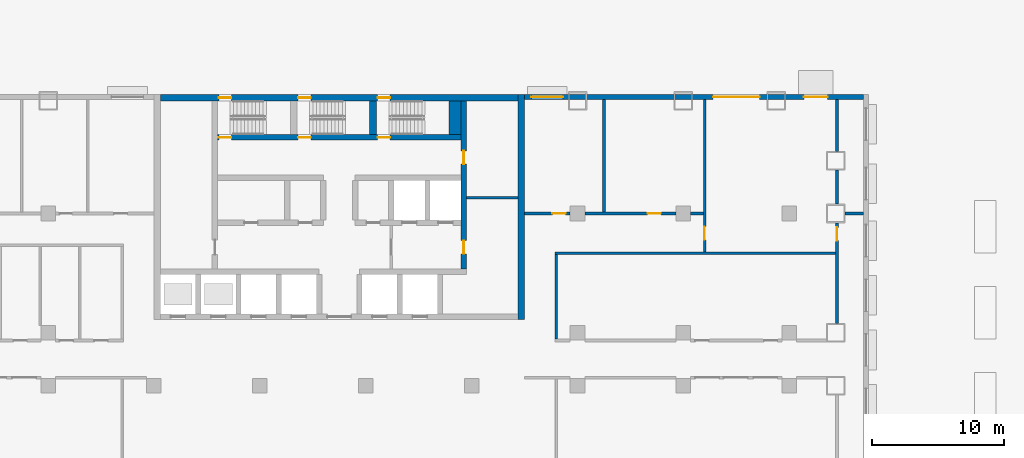
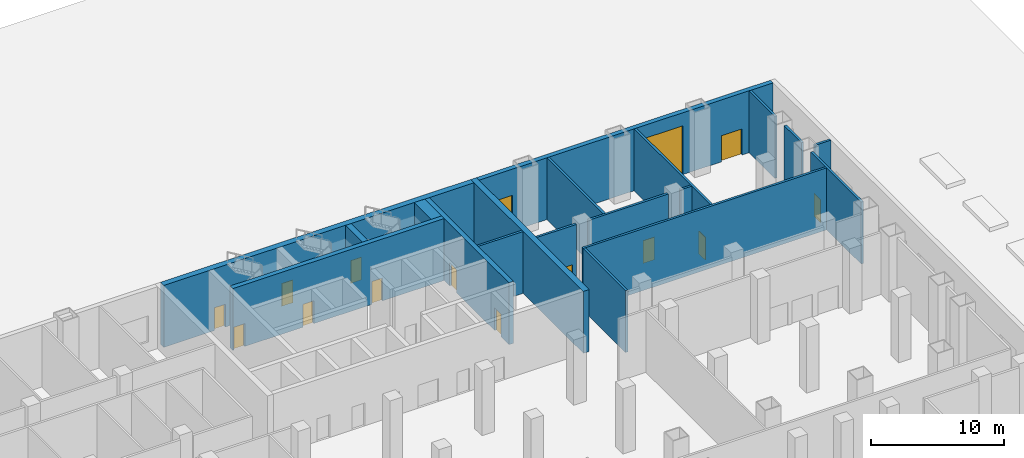
# One storey, part 9 of 18: 19 walls, 14 doors, 1 window, 15 openings.
"""IFC4 building model written with IfcOpenShell, lengths in metres."""

from ifc_helpers import new_model, si_unit, direction, frame, frame_2d, origin, place, context, subcontext, project, spatial, rectangle, extrude, material, layer, layer_set, type_object, element, fill, save


model = new_model("IFC4")

# Units and contexts
model_context = context("Model", 3, precision=1e-05, world=origin(), true_north=direction((0.0, 1.0)))
body_context = subcontext(model_context, "Body", "Model", "MODEL_VIEW")
ifc_project = project(units=[si_unit("LENGTHUNIT", "METRE"), si_unit("AREAUNIT", "SQUARE_METRE"), si_unit("VOLUMEUNIT", "CUBIC_METRE"), si_unit("PLANEANGLEUNIT", "RADIAN"), si_unit("MASSUNIT", "GRAM", prefix="KILO")], contexts=[model_context])

# Site, building, storey
site_placement = place(None, origin())
site = spatial("IfcSite", under=ifc_project, at=site_placement, CompositionType="ELEMENT")
building_placement = place(site_placement, origin())
building = spatial("IfcBuilding", under=site, at=building_placement, Name="Vidyagriha Tower", CompositionType="ELEMENT")
storey_placement = place(building_placement, origin())
storey = spatial("IfcBuildingStorey", under=building, at=storey_placement, Name="L00", CompositionType="ELEMENT", Elevation=0.0)

# Wall, openings, doors, window
ifc_material_1 = material(Name="Concrete C40/50 board-marked with brick facing", Category="concrete")
ifc_layer_1 = layer(ifc_material_1, 0.39990234375)
ifc_layer_set_1 = layer_set([ifc_layer_1], Name="Concrete C40/50 board-marked with brick facing")
wall_type_1 = type_object("IfcWallType", Name="Brick-faced board-marked concrete podium wall 400", PredefinedType="STANDARD", material=ifc_layer_set_1)
wall_1_placement = place(storey_placement, frame((39.60009765625, 19.800048828125, 0.0), z_axis=(0.0, 0.0, 1.0), x_axis=(-1.0, 0.0, 0.0)))
wall_1 = element("IfcWall", 1, at=wall_1_placement, inside=storey, type_object=wall_type_1, Name="Podium wall L00 R02", PredefinedType="STANDARD", context=body_context, shape_type="SweptSolid", body=[
    extrude(rectangle(XDim=25.60009765625, YDim=0.39990234375, at=frame_2d((12.800048828125, 0.0))), origin(), (0.0, 0.0, 1.0), 5.699951171875),
])
opening_1_placement = place(wall_1_placement, frame((2.699951171875, 0.0, 0.0)))
opening_1 = element("IfcOpeningElement", 2, at=opening_1_placement, cuts=wall_1, Name="Opening D00-02", PredefinedType="OPENING", context=body_context, shape_type="SweptSolid", body=[
    extrude(rectangle(XDim=1.800048828125, YDim=2.39990234375, at=frame_2d((0.89990234375, 1.199951171875))), frame((0.0, 0.2099609375, 0.0), z_axis=(0.0, -1.0, 0.0), x_axis=(1.0, 0.0, 0.0)), (0.0, 0.0, 1.0), 0.419921875),
])
opening_2_placement = place(wall_1_placement, frame((22.68994140625, 0.0, 0.89990234375)))
opening_2 = element("IfcOpeningElement", 3, at=opening_2_placement, cuts=wall_1, Name="Opening WN4", PredefinedType="OPENING", context=body_context, shape_type="SweptSolid", body=[
    extrude(rectangle(XDim=2.39990234375, YDim=2.39990234375, at=frame_2d((1.199951171875, 1.199951171875))), frame((0.0, 0.2099609375, 0.0), z_axis=(0.0, -1.0, 0.0), x_axis=(1.0, 0.0, 0.0)), (0.0, 0.0, 1.0), 0.419921875),
])
opening_3_placement = place(wall_1_placement, frame((7.85009765625, 0.0, 0.0)))
opening_3 = element("IfcOpeningElement", 4, at=opening_3_placement, cuts=wall_1, Name="Opening D00-70", PredefinedType="OPENING", context=body_context, shape_type="SweptSolid", body=[
    extrude(rectangle(XDim=3.5, YDim=4.5, at=frame_2d((1.75, 2.25))), frame((0.0, 0.2099609375, 0.0), z_axis=(0.0, -1.0, 0.0), x_axis=(1.0, 0.0, 0.0)), (0.0, 0.0, 1.0), 0.419921875),
])
ifc_material_2 = material(Name="Aluminium and glass door", Category="aluminium")
door_type_1 = type_object("IfcDoorType", Name="Entrance double leaf glazed door 1800x2400", OperationType="NOTDEFINED", PredefinedType="DOOR", material=ifc_material_2)
door_1_placement = place(opening_1_placement, frame((1.800048828125, 0.0, 0.0), z_axis=(0.0, 0.0, 1.0), x_axis=(-1.0, 0.0, 0.0)))
door_1 = element("IfcDoor", 5, at=door_1_placement, inside=storey, type_object=door_type_1, Name="Stair exit D00-02", OperationType="DOUBLE_DOOR_SINGLE_SWING", OverallHeight=2.39990234375, OverallWidth=1.800048828125, PredefinedType="DOOR", context=body_context, shape_type="SweptSolid", body=[
    extrude(rectangle(XDim=1.800048828125, YDim=2.39990234375, at=frame_2d((0.89990234375, 1.199951171875))), frame((0.0, 0.02490234375, 0.0), z_axis=(0.0, -1.0, 0.0), x_axis=(1.0, 0.0, 0.0)), (0.0, 0.0, 1.0), 0.050048828125),
])
fill(opening_1, door_1)
ifc_material_3 = material(Name="Aluminium and glass window", Category="aluminium")
window_type = type_object("IfcWindowType", Name="Ground storey school window 2400x2400", PartitioningType="NOTDEFINED", PredefinedType="WINDOW", material=ifc_material_3)
window_placement = place(opening_2_placement, origin())
window = element("IfcWindow", 6, at=window_placement, inside=storey, type_object=window_type, Name="School window L00 R02.15", OverallHeight=2.39990234375, OverallWidth=2.39990234375, PartitioningType="SINGLE_PANEL", PredefinedType="WINDOW", context=body_context, shape_type="SweptSolid", body=[
    extrude(rectangle(XDim=2.39990234375, YDim=2.39990234375, at=frame_2d((1.199951171875, 1.199951171875))), frame((0.0, 0.030029296875, 0.0), z_axis=(0.0, -1.0, 0.0), x_axis=(1.0, 0.0, 0.0)), (0.0, 0.0, 1.0), 0.06005859375),
])
fill(opening_2, window)
ifc_material_4 = material(Name="Steel fire door set", Category="steel")
door_type_2 = type_object("IfcDoorType", Name="Podium Door 3500x4500 EI 60 Pair", OperationType="NOTDEFINED", PredefinedType="DOOR", material=ifc_material_4)
door_2_placement = place(opening_3_placement, frame((3.5, 0.0, 0.0), z_axis=(0.0, 0.0, 1.0), x_axis=(-1.0, 0.0, 0.0)))
door_2 = element("IfcDoor", 7, at=door_2_placement, inside=storey, type_object=door_type_2, Name="L00 Loading dock shutter D00-70", OperationType="DOUBLE_DOOR_SINGLE_SWING", OverallHeight=4.5, OverallWidth=3.5, PredefinedType="DOOR", context=body_context, shape_type="SweptSolid", body=[
    extrude(rectangle(XDim=3.5, YDim=4.5, at=frame_2d((1.75, 2.25))), frame((0.0, 0.02490234375, 0.0), z_axis=(0.0, -1.0, 0.0), x_axis=(1.0, 0.0, 0.0)), (0.0, 0.0, 1.0), 0.050048828125),
])
fill(opening_3, door_2)

# Wall, openings, doors
ifc_material_5 = material(Name="Concrete C60/75", Category="concrete")
ifc_layer_2 = layer(ifc_material_5, 0.39990234375)
ifc_layer_set_2 = layer_set([ifc_layer_2], Name="Concrete C60/75")
wall_type_2 = type_object("IfcWallType", Name="Core shear wall 400 mm", PredefinedType="SHEAR", material=ifc_layer_set_2)
wall_2_placement = place(storey_placement, frame((9.39990234375, 6.800048828125, 0.0), z_axis=(0.0, 0.0, 1.0), x_axis=(0.0, 1.0, 0.0)))
wall_2 = element("IfcWall", 8, at=wall_2_placement, inside=storey, type_object=wall_type_2, Name="Core east spine wall", PredefinedType="SHEAR", context=body_context, shape_type="SweptSolid", body=[
    extrude(rectangle(XDim=12.699951171875, YDim=0.39990234375, at=frame_2d((6.35009765625, 0.0))), origin(), (0.0, 0.0, 1.0), 5.699951171875),
])
opening_4_placement = place(wall_2_placement, frame((1.14990234375, 0.0, 0.0)))
opening_4 = element("IfcOpeningElement", 9, at=opening_4_placement, cuts=wall_2, Name="Opening D00-20", PredefinedType="OPENING", context=body_context, shape_type="SweptSolid", body=[
    extrude(rectangle(XDim=1.0, YDim=2.10009765625, at=frame_2d((0.5, 1.050048828125))), frame((0.0, 0.2099609375, 0.0), z_axis=(0.0, -1.0, 0.0), x_axis=(1.0, 0.0, 0.0)), (0.0, 0.0, 1.0), 0.419921875),
])
opening_5_placement = place(wall_2_placement, frame((7.925048828125, 0.0, 0.0)))
opening_5 = element("IfcOpeningElement", 10, at=opening_5_placement, cuts=wall_2, Name="Opening D00-21", PredefinedType="OPENING", context=body_context, shape_type="SweptSolid", body=[
    extrude(rectangle(XDim=1.0, YDim=2.10009765625, at=frame_2d((0.5, 1.050048828125))), frame((0.0, 0.2099609375, 0.0), z_axis=(0.0, -1.0, 0.0), x_axis=(1.0, 0.0, 0.0)), (0.0, 0.0, 1.0), 0.419921875),
])
ifc_material_6 = material(Name="Hollow metal door leaf")
door_type_3 = type_object("IfcDoorType", Name="Core room door 1000 x 2100 mm EI 60", OperationType="NOTDEFINED", PredefinedType="DOOR", material=ifc_material_6)
door_3_placement = place(opening_4_placement, origin())
door_3 = element("IfcDoor", 11, at=door_3_placement, inside=storey, type_object=door_type_3, Name="Door Riser Room 00.E1", OperationType="SINGLE_SWING_RIGHT", OverallHeight=2.10009765625, OverallWidth=1.0, PredefinedType="DOOR", context=body_context, shape_type="SweptSolid", body=[
    extrude(rectangle(XDim=1.0, YDim=2.10009765625, at=frame_2d((0.5, 1.050048828125))), frame((0.0, 0.02490234375, 0.0), z_axis=(0.0, -1.0, 0.0), x_axis=(1.0, 0.0, 0.0)), (0.0, 0.0, 1.0), 0.050048828125),
])
fill(opening_4, door_3)
door_4_placement = place(opening_5_placement, origin())
door_4 = element("IfcDoor", 12, at=door_4_placement, inside=storey, type_object=door_type_3, Name="Door Switchgear Room 00.E2", OperationType="SINGLE_SWING_LEFT", OverallHeight=2.10009765625, OverallWidth=1.0, PredefinedType="DOOR", context=body_context, shape_type="SweptSolid", body=[
    extrude(rectangle(XDim=1.0, YDim=2.10009765625, at=frame_2d((0.5, 1.050048828125))), frame((0.0, 0.02490234375, 0.0), z_axis=(0.0, -1.0, 0.0), x_axis=(1.0, 0.0, 0.0)), (0.0, 0.0, 1.0), 0.050048828125),
])
fill(opening_5, door_4)

wall_3_placement = place(storey_placement, frame((-9.199951171875, 16.75, 0.0)))
wall_3 = element("IfcWall", 13, at=wall_3_placement, inside=storey, type_object=wall_type_2, Name="Stair front wall", PredefinedType="SHEAR", context=body_context, shape_type="SweptSolid", body=[
    extrude(rectangle(XDim=18.39990234375, YDim=0.39990234375, at=frame_2d((9.199951171875, 0.0))), origin(), (0.0, 0.0, 1.0), 5.699951171875),
])
opening_6_placement = place(wall_3_placement, frame((0.10009765625, 0.0, 0.0)))
opening_6 = element("IfcOpeningElement", 14, at=opening_6_placement, cuts=wall_3, Name="Opening D00-13", PredefinedType="OPENING", context=body_context, shape_type="SweptSolid", body=[
    extrude(rectangle(XDim=0.949951171875, YDim=2.10009765625, at=frame_2d((0.47509765625, 1.050048828125))), frame((0.0, 0.2099609375, 0.0), z_axis=(0.0, -1.0, 0.0), x_axis=(1.0, 0.0, 0.0)), (0.0, 0.0, 1.0), 0.419921875),
])
opening_7_placement = place(wall_3_placement, frame((6.10009765625, 0.0, 0.0)))
opening_7 = element("IfcOpeningElement", 15, at=opening_7_placement, cuts=wall_3, Name="Opening D00-14", PredefinedType="OPENING", context=body_context, shape_type="SweptSolid", body=[
    extrude(rectangle(XDim=0.949951171875, YDim=2.10009765625, at=frame_2d((0.47509765625, 1.050048828125))), frame((0.0, 0.2099609375, 0.0), z_axis=(0.0, -1.0, 0.0), x_axis=(1.0, 0.0, 0.0)), (0.0, 0.0, 1.0), 0.419921875),
])
opening_8_placement = place(wall_3_placement, frame((12.10009765625, 0.0, 0.0)))
opening_8 = element("IfcOpeningElement", 16, at=opening_8_placement, cuts=wall_3, Name="Opening D00-15", PredefinedType="OPENING", context=body_context, shape_type="SweptSolid", body=[
    extrude(rectangle(XDim=0.949951171875, YDim=2.10009765625, at=frame_2d((0.47509765625, 1.050048828125))), frame((0.0, 0.2099609375, 0.0), z_axis=(0.0, -1.0, 0.0), x_axis=(1.0, 0.0, 0.0)), (0.0, 0.0, 1.0), 0.419921875),
])
ifc_material_7 = material(Name="Hollow metal door leaf")
door_type_4 = type_object("IfcDoorType", Name="Exit stair door 950 x 2100 mm EI 90", OperationType="NOTDEFINED", PredefinedType="DOOR", material=ifc_material_7)
door_5_placement = place(opening_6_placement, origin())
door_5 = element("IfcDoor", 17, at=door_5_placement, inside=storey, type_object=door_type_4, Name="Stair door ST1 L00", OperationType="SINGLE_SWING_LEFT", OverallHeight=2.10009765625, OverallWidth=0.949951171875, PredefinedType="DOOR", context=body_context, shape_type="SweptSolid", body=[
    extrude(rectangle(XDim=0.949951171875, YDim=2.10009765625, at=frame_2d((0.47509765625, 1.050048828125))), frame((0.0, 0.02490234375, 0.0), z_axis=(0.0, -1.0, 0.0), x_axis=(1.0, 0.0, 0.0)), (0.0, 0.0, 1.0), 0.050048828125),
])
fill(opening_6, door_5)
door_6_placement = place(opening_7_placement, origin())
door_6 = element("IfcDoor", 18, at=door_6_placement, inside=storey, type_object=door_type_4, Name="Stair door ST2 L00", OperationType="SINGLE_SWING_LEFT", OverallHeight=2.10009765625, OverallWidth=0.949951171875, PredefinedType="DOOR", context=body_context, shape_type="SweptSolid", body=[
    extrude(rectangle(XDim=0.949951171875, YDim=2.10009765625, at=frame_2d((0.47509765625, 1.050048828125))), frame((0.0, 0.02490234375, 0.0), z_axis=(0.0, -1.0, 0.0), x_axis=(1.0, 0.0, 0.0)), (0.0, 0.0, 1.0), 0.050048828125),
])
fill(opening_7, door_6)
door_7_placement = place(opening_8_placement, origin())
door_7 = element("IfcDoor", 19, at=door_7_placement, inside=storey, type_object=door_type_4, Name="Stair door ST3 L00", OperationType="SINGLE_SWING_LEFT", OverallHeight=2.10009765625, OverallWidth=0.949951171875, PredefinedType="DOOR", context=body_context, shape_type="SweptSolid", body=[
    extrude(rectangle(XDim=0.949951171875, YDim=2.10009765625, at=frame_2d((0.47509765625, 1.050048828125))), frame((0.0, 0.02490234375, 0.0), z_axis=(0.0, -1.0, 0.0), x_axis=(1.0, 0.0, 0.0)), (0.0, 0.0, 1.0), 0.050048828125),
])
fill(opening_8, door_7)

# Walls
ifc_material_8 = material(Name="Concrete C60/75", Category="concrete")
ifc_layer_3 = layer(ifc_material_8, 0.5)
ifc_layer_set_3 = layer_set([ifc_layer_3], Name="Concrete C60/75")
wall_type_3 = type_object("IfcWallType", Name="Core shear wall 500 mm", PredefinedType="SHEAR", material=ifc_layer_set_3)
wall_4_placement = place(storey_placement, frame((13.75, 3.0, 0.0), z_axis=(0.0, 0.0, 1.0), x_axis=(0.0, 1.0, 0.0)))
element("IfcWall", 20, at=wall_4_placement, inside=storey, type_object=wall_type_3, Name="Core east wall", PredefinedType="SHEAR", context=body_context, shape_type="SweptSolid", body=[
    extrude(rectangle(XDim=17.0, YDim=0.5, at=frame_2d((8.5, 0.0))), origin(), (0.0, 0.0, 1.0), 5.699951171875),
])
wall_5_placement = place(storey_placement, frame((2.550048828125, 16.949951171875, 0.0), z_axis=(0.0, 0.0, 1.0), x_axis=(0.0, 1.0, 0.0)))
element("IfcWall", 21, at=wall_5_placement, inside=storey, type_object=wall_type_3, Name="Stair partition wall 2", PredefinedType="SHEAR", context=body_context, shape_type="SweptSolid", body=[
    extrude(rectangle(XDim=2.550048828125, YDim=0.5, at=frame_2d((1.27490234375, 0.0))), origin(), (0.0, 0.0, 1.0), 5.699951171875),
])

# Wall, openings, doors
ifc_material_9 = material(Name="Concrete C60/75 with brick facing", Category="concrete")
ifc_layer_4 = layer(ifc_material_9, 0.5)
ifc_layer_set_4 = layer_set([ifc_layer_4], Name="Concrete C60/75 with brick facing")
wall_type_4 = type_object("IfcWallType", Name="Core shear wall 500 mm, brick-faced", PredefinedType="SHEAR", material=ifc_layer_set_4)
wall_6_placement = place(storey_placement, frame((-13.5, 19.75, 0.0)))
wall_6 = element("IfcWall", 22, at=wall_6_placement, inside=storey, type_object=wall_type_4, Name="Core north wall", PredefinedType="SHEAR", context=body_context, shape_type="SweptSolid", body=[
    extrude(rectangle(XDim=27.0, YDim=0.5, at=frame_2d((13.5, 0.0))), origin(), (0.0, 0.0, 1.0), 5.699951171875),
])
opening_9_placement = place(wall_6_placement, frame((4.39990234375, 0.0, 0.0)))
opening_9 = element("IfcOpeningElement", 23, at=opening_9_placement, cuts=wall_6, Name="Opening D00-16", PredefinedType="OPENING", context=body_context, shape_type="SweptSolid", body=[
    extrude(rectangle(XDim=0.949951171875, YDim=2.10009765625, at=frame_2d((0.47509765625, 1.050048828125))), frame((0.0, 0.260009765625, 0.0), z_axis=(0.0, -1.0, 0.0), x_axis=(1.0, 0.0, 0.0)), (0.0, 0.0, 1.0), 0.52001953125),
])
opening_10_placement = place(wall_6_placement, frame((10.39990234375, 0.0, 0.0)))
opening_10 = element("IfcOpeningElement", 24, at=opening_10_placement, cuts=wall_6, Name="Opening D00-17", PredefinedType="OPENING", context=body_context, shape_type="SweptSolid", body=[
    extrude(rectangle(XDim=0.949951171875, YDim=2.10009765625, at=frame_2d((0.47509765625, 1.050048828125))), frame((0.0, 0.260009765625, 0.0), z_axis=(0.0, -1.0, 0.0), x_axis=(1.0, 0.0, 0.0)), (0.0, 0.0, 1.0), 0.52001953125),
])
opening_11_placement = place(wall_6_placement, frame((16.39990234375, 0.0, 0.0)))
opening_11 = element("IfcOpeningElement", 25, at=opening_11_placement, cuts=wall_6, Name="Opening D00-18", PredefinedType="OPENING", context=body_context, shape_type="SweptSolid", body=[
    extrude(rectangle(XDim=0.949951171875, YDim=2.10009765625, at=frame_2d((0.47509765625, 1.050048828125))), frame((0.0, 0.260009765625, 0.0), z_axis=(0.0, -1.0, 0.0), x_axis=(1.0, 0.0, 0.0)), (0.0, 0.0, 1.0), 0.52001953125),
])
ifc_material_10 = material(Name="Hollow metal door leaf")
door_type_5 = type_object("IfcDoorType", Name="Stair exit door 950 x 2100 mm EI 90", OperationType="NOTDEFINED", PredefinedType="DOOR", material=ifc_material_10)
door_8_placement = place(opening_9_placement, origin())
door_8 = element("IfcDoor", 26, at=door_8_placement, inside=storey, type_object=door_type_5, Name="Stair exit door ST1", OperationType="SINGLE_SWING_LEFT", OverallHeight=2.10009765625, OverallWidth=0.949951171875, PredefinedType="DOOR", context=body_context, shape_type="SweptSolid", body=[
    extrude(rectangle(XDim=0.949951171875, YDim=2.10009765625, at=frame_2d((0.47509765625, 1.050048828125))), frame((0.0, 0.02490234375, 0.0), z_axis=(0.0, -1.0, 0.0), x_axis=(1.0, 0.0, 0.0)), (0.0, 0.0, 1.0), 0.050048828125),
])
fill(opening_9, door_8)
door_9_placement = place(opening_10_placement, origin())
door_9 = element("IfcDoor", 27, at=door_9_placement, inside=storey, type_object=door_type_5, Name="Stair exit door ST2", OperationType="SINGLE_SWING_LEFT", OverallHeight=2.10009765625, OverallWidth=0.949951171875, PredefinedType="DOOR", context=body_context, shape_type="SweptSolid", body=[
    extrude(rectangle(XDim=0.949951171875, YDim=2.10009765625, at=frame_2d((0.47509765625, 1.050048828125))), frame((0.0, 0.02490234375, 0.0), z_axis=(0.0, -1.0, 0.0), x_axis=(1.0, 0.0, 0.0)), (0.0, 0.0, 1.0), 0.050048828125),
])
fill(opening_10, door_9)
door_10_placement = place(opening_11_placement, origin())
door_10 = element("IfcDoor", 28, at=door_10_placement, inside=storey, type_object=door_type_5, Name="Stair exit door ST3", OperationType="SINGLE_SWING_LEFT", OverallHeight=2.10009765625, OverallWidth=0.949951171875, PredefinedType="DOOR", context=body_context, shape_type="SweptSolid", body=[
    extrude(rectangle(XDim=0.949951171875, YDim=2.10009765625, at=frame_2d((0.47509765625, 1.050048828125))), frame((0.0, 0.02490234375, 0.0), z_axis=(0.0, -1.0, 0.0), x_axis=(1.0, 0.0, 0.0)), (0.0, 0.0, 1.0), 0.050048828125),
])
fill(opening_11, door_10)

# Walls
ifc_material_11 = material(Name="Concrete C60/75", Category="concrete")
ifc_layer_5 = layer(ifc_material_11, 0.89990234375)
ifc_layer_set_5 = layer_set([ifc_layer_5], Name="Concrete C60/75")
wall_type_5 = type_object("IfcWallType", Name="Core shear wall 900 mm", PredefinedType="SHEAR", material=ifc_layer_set_5)
wall_7_placement = place(storey_placement, frame((8.75, 16.949951171875, 0.0), z_axis=(0.0, 0.0, 1.0), x_axis=(0.0, 1.0, 0.0)))
element("IfcWall", 29, at=wall_7_placement, inside=storey, type_object=wall_type_5, Name="Stair end wall", PredefinedType="SHEAR", context=body_context, shape_type="SweptSolid", body=[
    extrude(rectangle(XDim=2.550048828125, YDim=0.89990234375, at=frame_2d((1.27490234375, 0.0))), origin(), (0.0, 0.0, 1.0), 5.699951171875),
])
ifc_material_12 = material(Name="Fire rated gypsum board on light gauge framing")
ifc_layer_6 = layer(ifc_material_12, 0.199951171875)
ifc_layer_set_6 = layer_set([ifc_layer_6], Name="Fire rated gypsum board on light gauge framing")
wall_type_6 = type_object("IfcWallType", Name="Fire Rated Corridor Wall 200", PredefinedType="PARTITIONING", material=ifc_layer_set_6)
wall_8_placement = place(storey_placement, frame((16.300048828125, 8.0, 0.0)))
element("IfcWall", 30, at=wall_8_placement, inside=storey, type_object=wall_type_6, Name="L00 Fire Rated Corridor Wall 200 036", PredefinedType="PARTITIONING", context=body_context, shape_type="SweptSolid", body=[
    extrude(rectangle(XDim=21.199951171875, YDim=0.199951171875, at=frame_2d((10.60009765625, 0.0))), origin(), (0.0, 0.0, 1.0), 5.699951171875),
])

# Wall, opening, door
wall_9_placement = place(storey_placement, frame((14.0, 11.0, 0.0)))
wall_9 = element("IfcWall", 31, at=wall_9_placement, inside=storey, type_object=wall_type_6, Name="L00 Fire Rated Corridor Wall 200 042", PredefinedType="PARTITIONING", context=body_context, shape_type="SweptSolid", body=[
    extrude(rectangle(XDim=3.449951171875, YDim=0.199951171875, at=frame_2d((1.72509765625, 0.0))), origin(), (0.0, 0.0, 1.0), 5.699951171875),
])
opening_12_placement = place(wall_9_placement, frame((2.099853515625, 0.0, 0.0)))
opening_12 = element("IfcOpeningElement", 32, at=opening_12_placement, cuts=wall_9, Name="Opening D00-56", PredefinedType="OPENING", context=body_context, shape_type="SweptSolid", body=[
    extrude(rectangle(XDim=1.0, YDim=2.10009765625, at=frame_2d((0.5, 1.050048828125))), frame((0.0, 0.10986328125, 0.0), z_axis=(0.0, -1.0, 0.0), x_axis=(1.0, 0.0, 0.0)), (0.0, 0.0, 1.0), 0.219970703125),
])
ifc_material_13 = material(Name="Steel fire door set", Category="steel")
door_type_6 = type_object("IfcDoorType", Name="Podium Door 1000x2100 EI 60", OperationType="NOTDEFINED", PredefinedType="DOOR", material=ifc_material_13)
door_11_placement = place(opening_12_placement, origin())
door_11 = element("IfcDoor", 33, at=door_11_placement, inside=storey, type_object=door_type_6, Name="L00 door D00-56", OperationType="SINGLE_SWING_RIGHT", OverallHeight=2.10009765625, OverallWidth=1.0, PredefinedType="DOOR", context=body_context, shape_type="SweptSolid", body=[
    extrude(rectangle(XDim=1.0, YDim=2.10009765625, at=frame_2d((0.5, 1.050048828125))), frame((0.0, 0.02490234375, 0.0), z_axis=(0.0, -1.0, 0.0), x_axis=(1.0, 0.0, 0.0)), (0.0, 0.0, 1.0), 0.050048828125),
])
fill(opening_12, door_11)

wall_10_placement = place(storey_placement, frame((18.550048828125, 11.0, 0.0)))
wall_10 = element("IfcWall", 34, at=wall_10_placement, inside=storey, type_object=wall_type_6, Name="L00 Fire Rated Corridor Wall 200 043", PredefinedType="PARTITIONING", context=body_context, shape_type="SweptSolid", body=[
    extrude(rectangle(XDim=6.89990234375, YDim=0.199951171875, at=frame_2d((3.449951171875, 0.0))), origin(), (0.0, 0.0, 1.0), 5.699951171875),
])
opening_13_placement = place(wall_10_placement, frame((4.75, 0.0, 0.0)))
opening_13 = element("IfcOpeningElement", 35, at=opening_13_placement, cuts=wall_10, Name="Opening D00-57", PredefinedType="OPENING", context=body_context, shape_type="SweptSolid", body=[
    extrude(rectangle(XDim=1.0, YDim=2.10009765625, at=frame_2d((0.5, 1.050048828125))), frame((0.0, 0.10986328125, 0.0), z_axis=(0.0, -1.0, 0.0), x_axis=(1.0, 0.0, 0.0)), (0.0, 0.0, 1.0), 0.219970703125),
])
door_12_placement = place(opening_13_placement, origin())
door_12 = element("IfcDoor", 36, at=door_12_placement, inside=storey, type_object=door_type_6, Name="L00 door D00-57", OperationType="SINGLE_SWING_RIGHT", OverallHeight=2.10009765625, OverallWidth=1.0, PredefinedType="DOOR", context=body_context, shape_type="SweptSolid", body=[
    extrude(rectangle(XDim=1.0, YDim=2.10009765625, at=frame_2d((0.5, 1.050048828125))), frame((0.0, 0.02490234375, 0.0), z_axis=(0.0, -1.0, 0.0), x_axis=(1.0, 0.0, 0.0)), (0.0, 0.0, 1.0), 0.050048828125),
])
fill(opening_13, door_12)

# Walls
wall_11_placement = place(storey_placement, frame((26.550048828125, 11.0, 0.0)))
element("IfcWall", 37, at=wall_11_placement, inside=storey, type_object=wall_type_6, Name="L00 Fire Rated Corridor Wall 200 044", PredefinedType="PARTITIONING", context=body_context, shape_type="SweptSolid", body=[
    extrude(rectangle(XDim=0.949951171875, YDim=0.199951171875, at=frame_2d((0.47509765625, 0.0))), origin(), (0.0, 0.0, 1.0), 5.699951171875),
])
wall_12_placement = place(storey_placement, frame((38.199951171875, 11.0, 0.0)))
element("IfcWall", 38, at=wall_12_placement, inside=storey, type_object=wall_type_6, Name="L00 Fire Rated Corridor Wall 200 045", PredefinedType="PARTITIONING", context=body_context, shape_type="SweptSolid", body=[
    extrude(rectangle(XDim=1.400146484375, YDim=0.199951171875, at=frame_2d((0.7001953125, 0.0))), origin(), (0.0, 0.0, 1.0), 5.699951171875),
])
wall_13_placement = place(storey_placement, frame((16.39990234375, 1.5, 0.0), z_axis=(0.0, 0.0, 1.0), x_axis=(0.0, 1.0, 0.0)))
element("IfcWall", 39, at=wall_13_placement, inside=storey, type_object=wall_type_6, Name="L00 Fire Rated Corridor Wall 200 067", PredefinedType="PARTITIONING", context=body_context, shape_type="SweptSolid", body=[
    extrude(rectangle(XDim=6.39990234375, YDim=0.199951171875, at=frame_2d((3.199951171875, 0.0))), origin(), (0.0, 0.0, 1.0), 5.699951171875),
])
wall_14_placement = place(storey_placement, frame((20.0, 11.10009765625, 0.0), z_axis=(0.0, 0.0, 1.0), x_axis=(0.0, 1.0, 0.0)))
element("IfcWall", 40, at=wall_14_placement, inside=storey, type_object=wall_type_6, Name="L00 Fire Rated Corridor Wall 200 069", PredefinedType="PARTITIONING", context=body_context, shape_type="SweptSolid", body=[
    extrude(rectangle(XDim=8.499755859375, YDim=0.199951171875, at=frame_2d((4.25, 0.0))), origin(), (0.0, 0.0, 1.0), 5.699951171875),
])

# Wall, opening, door
wall_15_placement = place(storey_placement, frame((27.60009765625, 8.10009765625, 0.0), z_axis=(0.0, 0.0, 1.0), x_axis=(0.0, 1.0, 0.0)))
wall_15 = element("IfcWall", 41, at=wall_15_placement, inside=storey, type_object=wall_type_6, Name="L00 Fire Rated Corridor Wall 200 071", PredefinedType="PARTITIONING", context=body_context, shape_type="SweptSolid", body=[
    extrude(rectangle(XDim=11.499755859375, YDim=0.199951171875, at=frame_2d((5.75, 0.0))), origin(), (0.0, 0.0, 1.0), 5.699951171875),
])
opening_14_placement = place(wall_15_placement, frame((0.89990234375, 0.0, 0.0)))
opening_14 = element("IfcOpeningElement", 42, at=opening_14_placement, cuts=wall_15, Name="Opening D00-55", PredefinedType="OPENING", context=body_context, shape_type="SweptSolid", body=[
    extrude(rectangle(XDim=1.0, YDim=2.10009765625, at=frame_2d((0.5, 1.050048828125))), frame((0.0, 0.10986328125, 0.0), z_axis=(0.0, -1.0, 0.0), x_axis=(1.0, 0.0, 0.0)), (0.0, 0.0, 1.0), 0.219970703125),
])
door_13_placement = place(opening_14_placement, origin())
door_13 = element("IfcDoor", 43, at=door_13_placement, inside=storey, type_object=door_type_6, Name="L00 door D00-55", OperationType="SINGLE_SWING_LEFT", OverallHeight=2.10009765625, OverallWidth=1.0, PredefinedType="DOOR", context=body_context, shape_type="SweptSolid", body=[
    extrude(rectangle(XDim=1.0, YDim=2.10009765625, at=frame_2d((0.5, 1.050048828125))), frame((0.0, 0.02490234375, 0.0), z_axis=(0.0, -1.0, 0.0), x_axis=(1.0, 0.0, 0.0)), (0.0, 0.0, 1.0), 0.050048828125),
])
fill(opening_14, door_13)

wall_16_placement = place(storey_placement, frame((37.60009765625, 2.699951171875, 0.0), z_axis=(0.0, 0.0, 1.0), x_axis=(0.0, 1.0, 0.0)))
wall_16 = element("IfcWall", 44, at=wall_16_placement, inside=storey, type_object=wall_type_6, Name="L00 Fire Rated Corridor Wall 200 077", PredefinedType="PARTITIONING", context=body_context, shape_type="SweptSolid", body=[
    extrude(rectangle(XDim=7.60009765625, YDim=0.199951171875, at=frame_2d((3.800048828125, 0.0))), origin(), (0.0, 0.0, 1.0), 5.699951171875),
])
opening_15_placement = place(wall_16_placement, frame((6.25, 0.0, 0.0)))
opening_15 = element("IfcOpeningElement", 45, at=opening_15_placement, cuts=wall_16, Name="Opening D00-54", PredefinedType="OPENING", context=body_context, shape_type="SweptSolid", body=[
    extrude(rectangle(XDim=1.0, YDim=2.10009765625, at=frame_2d((0.5, 1.050048828125))), frame((0.0, 0.10986328125, 0.0), z_axis=(0.0, -1.0, 0.0), x_axis=(1.0, 0.0, 0.0)), (0.0, 0.0, 1.0), 0.219970703125),
])
door_14_placement = place(opening_15_placement, frame((1.0, 0.0, 0.0), z_axis=(0.0, 0.0, 1.0), x_axis=(-1.0, 0.0, 0.0)))
door_14 = element("IfcDoor", 46, at=door_14_placement, inside=storey, type_object=door_type_6, Name="L00 door D00-54", OperationType="SINGLE_SWING_RIGHT", OverallHeight=2.10009765625, OverallWidth=1.0, PredefinedType="DOOR", context=body_context, shape_type="SweptSolid", body=[
    extrude(rectangle(XDim=1.0, YDim=2.10009765625, at=frame_2d((0.5, 1.050048828125))), frame((0.0, 0.02490234375, 0.0), z_axis=(0.0, -1.0, 0.0), x_axis=(1.0, 0.0, 0.0)), (0.0, 0.0, 1.0), 0.050048828125),
])
fill(opening_15, door_14)

# Walls
wall_17_placement = place(storey_placement, frame((37.60009765625, 11.699951171875, 0.0), z_axis=(0.0, 0.0, 1.0), x_axis=(0.0, 1.0, 0.0)))
element("IfcWall", 47, at=wall_17_placement, inside=storey, type_object=wall_type_6, Name="L00 Fire Rated Corridor Wall 200 078", PredefinedType="PARTITIONING", context=body_context, shape_type="SweptSolid", body=[
    extrude(rectangle(XDim=2.60009765625, YDim=0.199951171875, at=frame_2d((1.300048828125, 0.0))), origin(), (0.0, 0.0, 1.0), 5.699951171875),
])
wall_18_placement = place(storey_placement, frame((37.60009765625, 15.699951171875, 0.0), z_axis=(0.0, 0.0, 1.0), x_axis=(0.0, 1.0, 0.0)))
element("IfcWall", 48, at=wall_18_placement, inside=storey, type_object=wall_type_6, Name="L00 Fire Rated Corridor Wall 200 079", PredefinedType="PARTITIONING", context=body_context, shape_type="SweptSolid", body=[
    extrude(rectangle(XDim=3.89990234375, YDim=0.199951171875, at=frame_2d((1.949951171875, 0.0))), origin(), (0.0, 0.0, 1.0), 5.699951171875),
])
ifc_material_14 = material(Name="Blockwork 15 MPa", Category="masonry")
ifc_layer_7 = layer(ifc_material_14, 0.199951171875)
ifc_layer_set_7 = layer_set([ifc_layer_7], Name="Blockwork 15 MPa")
wall_type_7 = type_object("IfcWallType", Name="Service room partition 200 mm", PredefinedType="PARTITIONING", material=ifc_layer_set_7)
wall_19_placement = place(storey_placement, frame((9.60009765625, 12.199951171875, 0.0)))
element("IfcWall", 49, at=wall_19_placement, inside=storey, type_object=wall_type_7, Name="Core room partition E1", PredefinedType="PARTITIONING", context=body_context, shape_type="SweptSolid", body=[
    extrude(rectangle(XDim=3.89990234375, YDim=0.199951171875, at=frame_2d((1.949951171875, 0.0))), origin(), (0.0, 0.0, 1.0), 5.699951171875),
])

save(model, "model.ifc")
